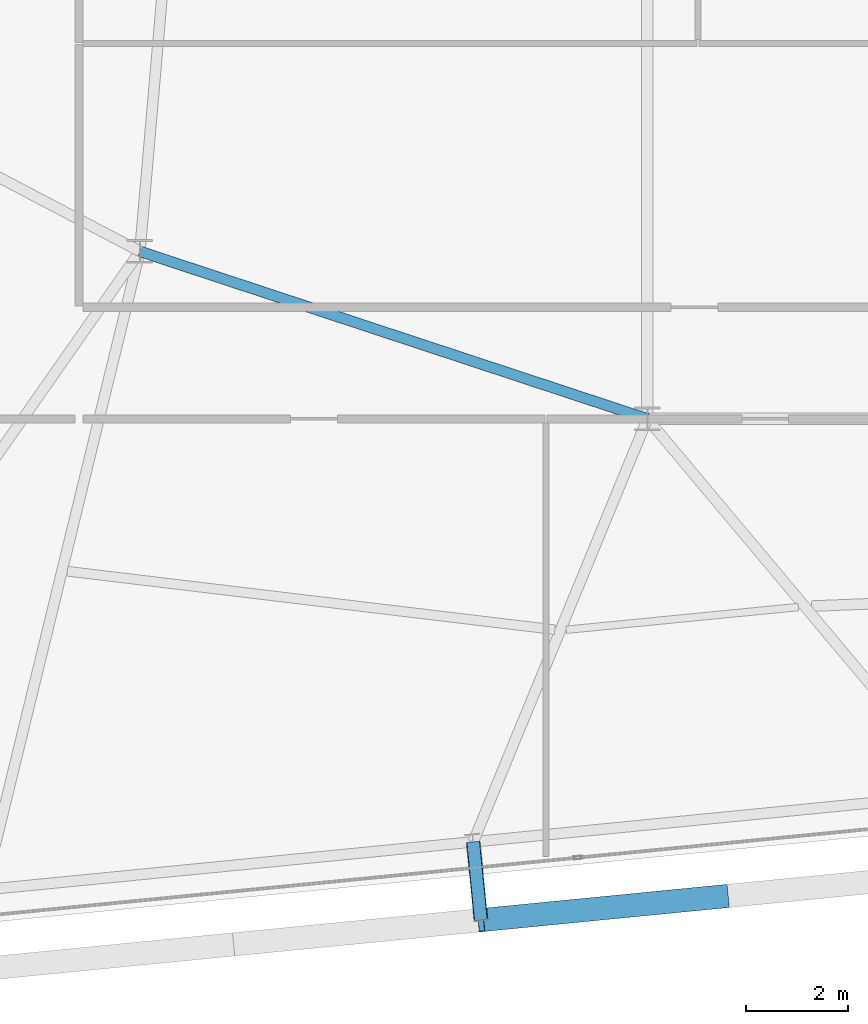
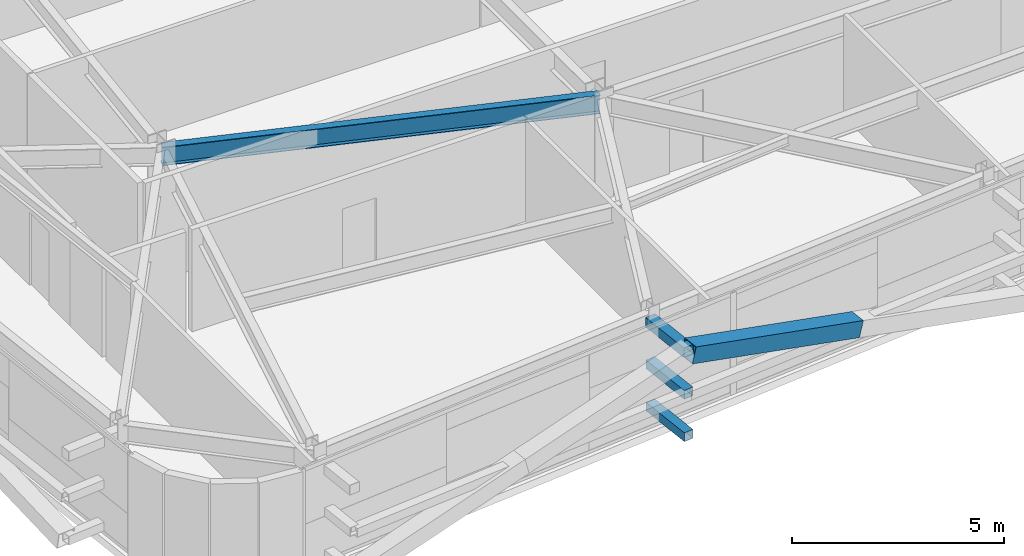
# One storey, part 8 of 47: 4 members, 1 beam.
"""IFC4 building model written with IfcOpenShell, lengths in metres."""

from ifc_helpers import new_model, si_unit, direction, frame, origin, origin_2d, place, context, subcontext, project, spatial, hollow_rectangle, i_section, extrude, source, transform, mapped, material, material_profile, profile_set, type_object, element, save


model = new_model("IFC4")

# Units and contexts
model_context = context("Model", 3, precision=1e-05, world=origin(), true_north=direction((0.0, 1.0)))
body_context = subcontext(model_context, "Body", "Model", "MODEL_VIEW")
ifc_project = project(units=[si_unit("LENGTHUNIT", "METRE"), si_unit("AREAUNIT", "SQUARE_METRE"), si_unit("VOLUMEUNIT", "CUBIC_METRE"), si_unit("PLANEANGLEUNIT", "RADIAN"), si_unit("MASSUNIT", "GRAM", prefix="KILO")], contexts=[model_context])

# Site, building, storey
site_placement = place(None, origin())
site = spatial("IfcSite", under=ifc_project, at=site_placement, CompositionType="ELEMENT")
building_placement = place(site_placement, origin())
building = spatial("IfcBuilding", under=site, at=building_placement, Name="Taldren Reach Tower", CompositionType="ELEMENT")
storey_placement = place(building_placement, frame((0.0, 0.0, 87.14990234375)))
storey = spatial("IfcBuildingStorey", under=building, at=storey_placement, Name="L26", CompositionType="ELEMENT", Elevation=87.14990234375)

# Beam
ifc_material_1 = material(Name="Steel Gr 350 (350PLUS)", Category="steel")
ifc_material_profile_1 = material_profile(ifc_material_1, i_section(OverallWidth=0.208984375, OverallDepth=0.532958984375, WebThickness=0.01025390625, FlangeThickness=0.015625, at=origin_2d()), Name="530UB92.4")
ifc_profile_set_1 = profile_set([ifc_material_profile_1], Name="Steel Gr 350 (350PLUS)")
beam_type = type_object("IfcBeamType", Name="BM-UB530A", PredefinedType="BEAM", material=ifc_profile_set_1)
shared_shape_1 = source(origin(), body_context, "Body", "SweptSolid", [
    extrude(i_section(OverallWidth=0.208984375, OverallDepth=0.532958984375, WebThickness=0.01025390625, FlangeThickness=0.015625, at=origin_2d()), origin(), (0.0, 0.0, 1.0), 10.530517578125),
])
beam_placement = place(storey_placement, frame((18.0, 12.5, 2.66357421875), z_axis=(0.949627269203, -0.313381635689, 0.0), x_axis=(0.313381635689, 0.949627269203, 0.0)))
element("IfcBeam", 1, at=beam_placement, inside=storey, type_object=beam_type, Name="Core-spine girder L26-SP10", PredefinedType="BEAM", context=body_context, shape_type="MappedRepresentation", body=[
    mapped(shared_shape_1, transform((0.0, 0.0, 0.0), scale=1.0)),
])

# Members
ifc_material_2 = material(Name="Steel Gr 450 (C450L0)", Category="steel")
ifc_material_profile_2 = material_profile(ifc_material_2, hollow_rectangle(XDim=0.27490234375, YDim=0.27490234375, WallThickness=0.00927734375, at=origin_2d()), Name="275x275x9.3SHS")
ifc_profile_set_2 = profile_set([ifc_material_profile_2], Name="Steel Gr 450 (C450L0)")
member_type_1 = type_object("IfcMemberType", Name="MB-TIE273", PredefinedType="STRUT", material=ifc_profile_set_2)
shared_shape_2 = source(origin(), body_context, "Body", "SweptSolid", [
    extrude(hollow_rectangle(XDim=0.27490234375, YDim=0.27490234375, WallThickness=0.00927734375, at=origin_2d()), origin(), (0.0, 0.0, 1.0), 1.550048828125),
])
member_1_placement = place(storey_placement, frame((24.56787109375, 0.86474609375, 2.650146484375), z_axis=(0.097647892962, -0.9952210252, 0.0), x_axis=(0.9952210252, 0.097647892962, 0.0)))
element("IfcMember", 2, at=member_1_placement, inside=storey, type_object=member_type_1, Name="Exoskeleton diaphragm tie strut B2-S2 L26", PredefinedType="STRUT", context=body_context, shape_type="MappedRepresentation", body=[
    mapped(shared_shape_2, transform((0.0, 0.0, 0.0), scale=1.0)),
])
ifc_material_profile_3 = material_profile(ifc_material_2, hollow_rectangle(XDim=0.4599609375, YDim=0.4599609375, WallThickness=0.01611328125, at=origin_2d()), Name="460x460x16.0SHS")
ifc_profile_set_3 = profile_set([ifc_material_profile_3], Name="Steel Gr 450 (C450L0)")
member_type_2 = type_object("IfcMemberType", Name="MB-EXO457", PredefinedType="BRACE", material=ifc_profile_set_3)
shared_shape_3 = source(origin(), body_context, "Body", "SweptSolid", [
    extrude(hollow_rectangle(XDim=0.4599609375, YDim=0.4599609375, WallThickness=0.01611328125, at=origin_2d()), origin(), (0.0, 0.0, 1.0), 4.990234375),
])
member_2_placement = place(storey_placement, frame((29.5361328125, -0.20556640625, 1.43505859375), z_axis=(-0.965271056716, -0.094667992638, 0.243494883389), x_axis=(0.097605711627, -0.995225162995, 0.0)))
element("IfcMember", 3, at=member_2_placement, inside=storey, type_object=member_type_2, Name="Exoskeleton Diagrid Brace B2-S2 L26", PredefinedType="BRACE", context=body_context, shape_type="MappedRepresentation", body=[
    mapped(shared_shape_3, transform((0.0, 0.0, 0.0), scale=1.0)),
])
ifc_material_3 = material(Name="Steel Gr 350 (C350L0)", Category="steel")
ifc_material_profile_4 = material_profile(ifc_material_3, hollow_rectangle(XDim=0.25, YDim=0.25, WallThickness=0.010009765625, at=origin_2d()), Name="250x250x10.0SHS")
ifc_profile_set_4 = profile_set([ifc_material_profile_4], Name="Steel Gr 350 (C350L0)")
member_type_3 = type_object("IfcMemberType", Name="MB-POST250", PredefinedType="POST", material=ifc_profile_set_4)
shared_shape_4 = source(origin(), body_context, "Body", "SweptSolid", [
    extrude(hollow_rectangle(XDim=0.25, YDim=0.25, WallThickness=0.010009765625, at=origin_2d()), origin(), (0.0, 0.0, 1.0), 1.550048828125),
])
for number, where, z_axis, x_axis, name in (
    (4, (24.56787109375, 0.86474609375, 0.22021484375), (0.097647892962, -0.9952210252, 0.0), (0.9952210252, 0.097647892962, 0.0), "Exoskeleton base diaphragm tie strut B2-S2 L26"),
    (5, (24.56787109375, 0.86474609375, 1.43505859375), (0.097647892962, -0.9952210252, 0.0), (0.9952210252, 0.097647892962, 0.0), "Exoskeleton mid-tier diaphragm tie B2-S2 L26"),
):
    element("IfcMember", number, at=place(storey_placement, frame(where, z_axis=z_axis, x_axis=x_axis)), inside=storey, type_object=member_type_3, Name=name, PredefinedType="POST", context=body_context, shape_type="MappedRepresentation", body=[
        mapped(shared_shape_4, transform((0.0, 0.0, 0.0), scale=1.0)),
    ])

save(model, "model.ifc")
